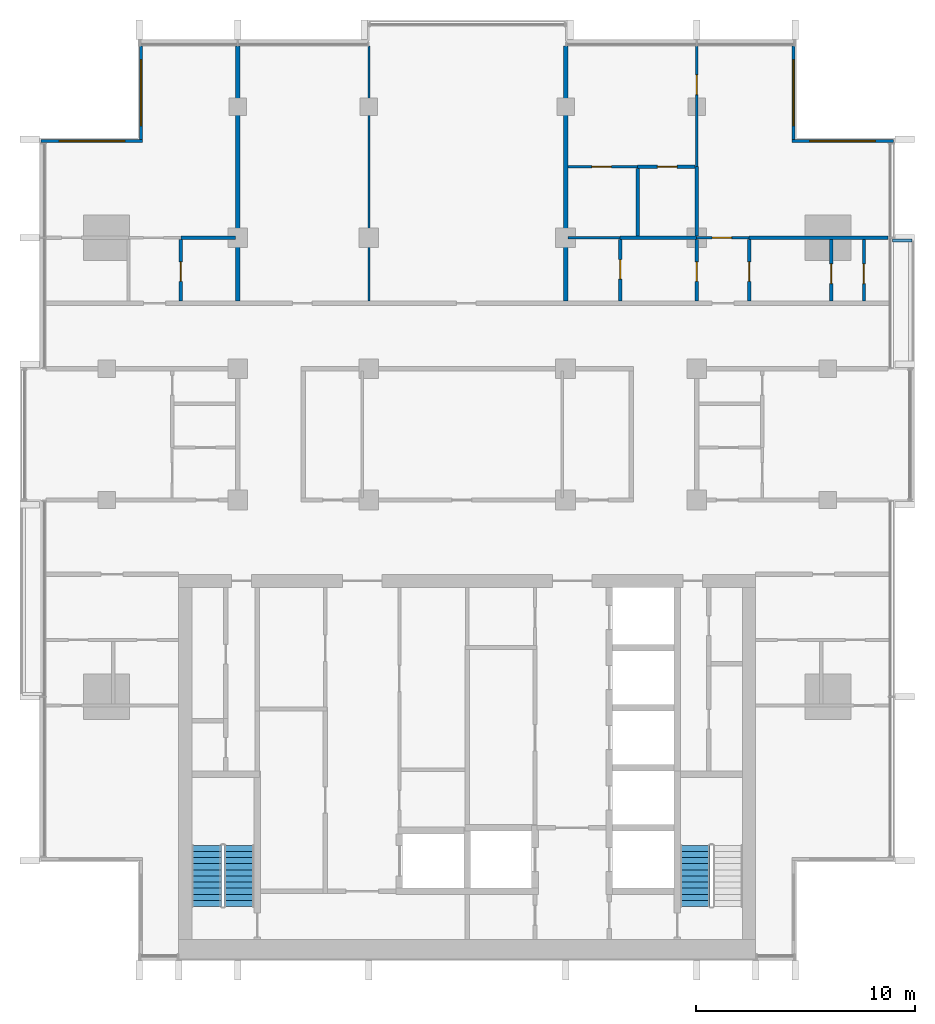
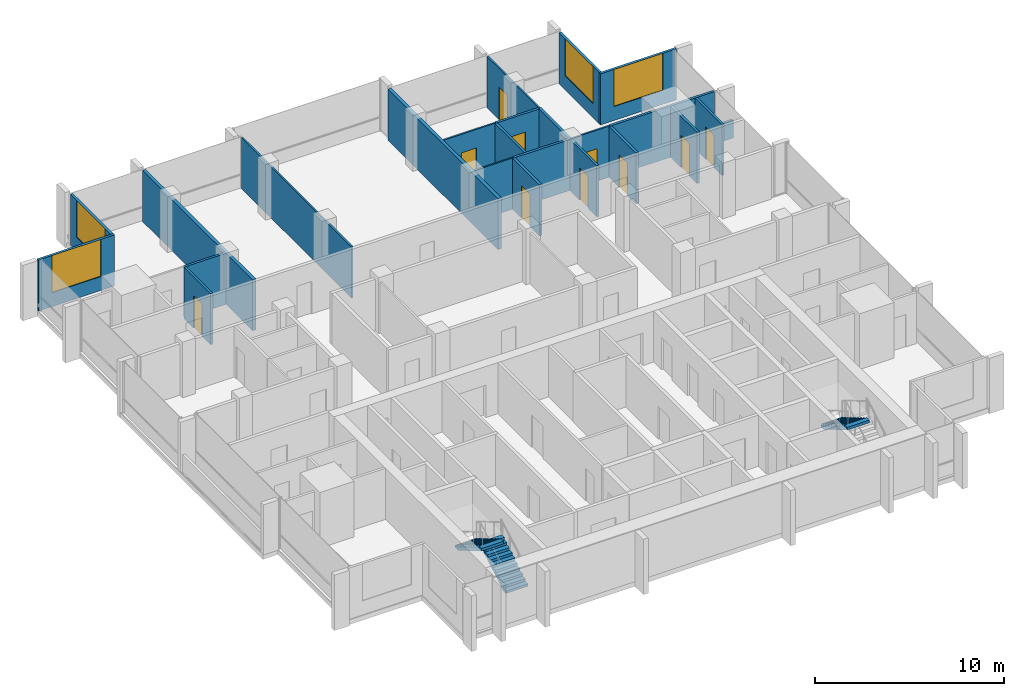
# One storey, part 10 of 16: 24 walls, 10 doors, 4 windows, 3 stair flights, 14 openings, 2 elements without a shape of their own.
"""IFC4 building model written with IfcOpenShell, lengths in metres."""

from ifc_helpers import new_model, si_unit, direction, frame, frame_2d, origin, place, context, subcontext, project, spatial, polyline, rectangle, outline, extrude, material, layer, layer_set, type_object, element, fill, aggregate, save


model = new_model("IFC4")

# Units and contexts
model_context = context("Model", 3, precision=1e-05, world=origin(), true_north=direction((0.0, 1.0)))
body_context = subcontext(model_context, "Body", "Model", "MODEL_VIEW")
ifc_project = project(units=[si_unit("LENGTHUNIT", "METRE"), si_unit("AREAUNIT", "SQUARE_METRE"), si_unit("VOLUMEUNIT", "CUBIC_METRE"), si_unit("PLANEANGLEUNIT", "RADIAN"), si_unit("MASSUNIT", "GRAM", prefix="KILO")], contexts=[model_context])

# Site, building, storey
site_placement = place(None, origin())
site = spatial("IfcSite", under=ifc_project, at=site_placement, CompositionType="ELEMENT")
building_placement = place(site_placement, origin())
building = spatial("IfcBuilding", under=site, at=building_placement, Name="Finial Court Residences", CompositionType="ELEMENT")
storey_placement = place(building_placement, frame((0.0, 0.0, 212.300048828125)))
storey = spatial("IfcBuildingStorey", under=building, at=storey_placement, Name="L53", CompositionType="ELEMENT", Elevation=212.300048828125)

# Walls
ifc_material_1 = material(Name="Gypsum board")
ifc_layer_1 = layer(ifc_material_1, 0.02490234375)
ifc_material_2 = material(Name="Acoustic mineral wool in double frame")
ifc_layer_2 = layer(ifc_material_2, 0.14990234375)
ifc_layer_3 = layer(ifc_material_1, 0.02490234375)
ifc_layer_set_1 = layer_set([ifc_layer_1, ifc_layer_2, ifc_layer_3], Name="Corridor wall 200, 1 hour")
wall_type_1 = type_object("IfcWallType", Name="Corridor wall 200, 1 hour", PredefinedType="PARTITIONING", material=ifc_layer_set_1)
for number, where, z_axis, x_axis, name in (
    (1, (-10.5, 4.60009765625, 0.0), (0.0, 0.0, 1.0), (0.0, 1.0, 0.0), "Partition L53-032"),
    (2, (4.5, 4.60009765625, 0.0), (0.0, 0.0, 1.0), (0.0, 1.0, 0.0), "Partition L53-037"),
):
    element("IfcWall", number, at=place(storey_placement, frame(where, z_axis=z_axis, x_axis=x_axis)), inside=storey, type_object=wall_type_1, Name=name, PredefinedType="PARTITIONING", context=body_context, shape_type="SweptSolid", body=[
        extrude(rectangle(XDim=11.662353515625, YDim=0.199951171875, at=frame_2d((5.8310546875, 0.0))), origin(), (0.0, 0.0, 1.0), 3.300048828125),
    ])
ifc_layer_4 = layer(ifc_material_1, 0.012451171875)
ifc_material_3 = material(Name="Mineral wool in light-gauge frame")
ifc_layer_5 = layer(ifc_material_3, 0.074951171875)
ifc_layer_6 = layer(ifc_material_1, 0.012451171875)
ifc_layer_set_2 = layer_set([ifc_layer_4, ifc_layer_5, ifc_layer_6], Name="Gypsum board partition 100")
wall_type_2 = type_object("IfcWallType", Name="Gypsum board partition 100", PredefinedType="PARTITIONING", material=ifc_layer_set_2)
wall_1_placement = place(storey_placement, frame((4.60009765625, 7.5, 0.0), z_axis=(0.0, 0.0, 1.0), x_axis=(1.0, 0.0, 0.0)))
element("IfcWall", 3, at=wall_1_placement, inside=storey, type_object=wall_type_2, Name="Partition L53-018", PredefinedType="PARTITIONING", context=body_context, shape_type="SweptSolid", body=[
    extrude(rectangle(XDim=2.39990234375, YDim=0.10009765625, at=frame_2d((1.199951171875, 0.0))), origin(), (0.0, 0.0, 1.0), 3.300048828125),
])

# Wall, opening, door
wall_2_placement = place(storey_placement, frame((10.5, 7.5, 0.0), z_axis=(0.0, 0.0, 1.0), x_axis=(1.0, 0.0, 0.0)))
wall_2 = element("IfcWall", 4, at=wall_2_placement, inside=storey, type_object=wall_type_2, Name="Partition L53-019", PredefinedType="PARTITIONING", context=body_context, shape_type="SweptSolid", body=[
    extrude(rectangle(XDim=2.39990234375, YDim=0.10009765625, at=frame_2d((1.199951171875, 0.0))), origin(), (0.0, 0.0, 1.0), 3.300048828125),
])
opening_1_placement = place(wall_2_placement, frame((0.699951171875, 0.0, 0.0)))
opening_1 = element("IfcOpeningElement", 5, at=opening_1_placement, cuts=wall_2, Name="Opening L53-D021", PredefinedType="OPENING", context=body_context, shape_type="SweptSolid", body=[
    extrude(rectangle(XDim=0.89990234375, YDim=2.10009765625, at=frame_2d((0.449951171875, 1.050048828125))), frame((0.0, 0.06005859375, 0.0), z_axis=(0.0, -1.0, 0.0), x_axis=(1.0, 0.0, 0.0)), (0.0, 0.0, 1.0), 0.1201171875),
])
ifc_material_4 = material(Name="Timber door leaf in timber frame", Category="wood")
door_type = type_object("IfcDoorType", Name="Door set 900 x 2100", OperationType="SINGLE_SWING_LEFT", PredefinedType="DOOR", material=ifc_material_4)
door_1_placement = place(opening_1_placement, origin())
door_1 = element("IfcDoor", 6, at=door_1_placement, inside=storey, type_object=door_type, Name="Door L53-D021", OperationType="SINGLE_SWING_LEFT", OverallHeight=2.10009765625, OverallWidth=0.89990234375, PredefinedType="DOOR", context=body_context, shape_type="SweptSolid", body=[
    extrude(rectangle(XDim=0.89990234375, YDim=2.10009765625, at=frame_2d((0.449951171875, 1.050048828125))), frame((0.0, 0.02490234375, 0.0), z_axis=(0.0, -1.0, 0.0), x_axis=(1.0, 0.0, 0.0)), (0.0, 0.0, 1.0), 0.050048828125),
])
fill(opening_1, door_1)

wall_3_placement = place(storey_placement, frame((4.60009765625, 10.75, 0.0), z_axis=(0.0, 0.0, 1.0), x_axis=(1.0, 0.0, 0.0)))
wall_3 = element("IfcWall", 7, at=wall_3_placement, inside=storey, type_object=wall_type_2, Name="Partition L53-024", PredefinedType="PARTITIONING", context=body_context, shape_type="SweptSolid", body=[
    extrude(rectangle(XDim=3.199951171875, YDim=0.10009765625, at=frame_2d((1.60009765625, 0.0))), origin(), (0.0, 0.0, 1.0), 3.300048828125),
])
opening_2_placement = place(wall_3_placement, frame((1.10009765625, 0.0, 0.0)))
opening_2 = element("IfcOpeningElement", 8, at=opening_2_placement, cuts=wall_3, Name="Opening L53-D023", PredefinedType="OPENING", context=body_context, shape_type="SweptSolid", body=[
    extrude(rectangle(XDim=0.89990234375, YDim=2.10009765625, at=frame_2d((0.449951171875, 1.050048828125))), frame((0.0, 0.06005859375, 0.0), z_axis=(0.0, -1.0, 0.0), x_axis=(1.0, 0.0, 0.0)), (0.0, 0.0, 1.0), 0.1201171875),
])
door_2_placement = place(opening_2_placement, origin())
door_2 = element("IfcDoor", 9, at=door_2_placement, inside=storey, type_object=door_type, Name="Door L53-D023", OperationType="SINGLE_SWING_LEFT", OverallHeight=2.10009765625, OverallWidth=0.89990234375, PredefinedType="DOOR", context=body_context, shape_type="SweptSolid", body=[
    extrude(rectangle(XDim=0.89990234375, YDim=2.10009765625, at=frame_2d((0.449951171875, 1.050048828125))), frame((0.0, 0.02490234375, 0.0), z_axis=(0.0, -1.0, 0.0), x_axis=(1.0, 0.0, 0.0)), (0.0, 0.0, 1.0), 0.050048828125),
])
fill(opening_2, door_2)

# Wall
wall_4_placement = place(storey_placement, frame((-4.5, 4.60009765625, 0.0), z_axis=(0.0, 0.0, 1.0), x_axis=(0.0, 1.0, 0.0)))
element("IfcWall", 10, at=wall_4_placement, inside=storey, type_object=wall_type_2, Name="Partition L53-035", PredefinedType="PARTITIONING", context=body_context, shape_type="SweptSolid", body=[
    extrude(rectangle(XDim=11.662353515625, YDim=0.10009765625, at=frame_2d((5.8310546875, 0.0))), origin(), (0.0, 0.0, 1.0), 3.300048828125),
])

# Wall, opening, door
wall_5_placement = place(storey_placement, frame((10.5, 10.75, 0.0), z_axis=(0.0, 0.0, 1.0), x_axis=(0.0, 1.0, 0.0)))
wall_5 = element("IfcWall", 11, at=wall_5_placement, inside=storey, type_object=wall_type_2, Name="Partition L53-042", PredefinedType="PARTITIONING", context=body_context, shape_type="SweptSolid", body=[
    extrude(rectangle(XDim=5.512451171875, YDim=0.10009765625, at=frame_2d((2.75634765625, 0.0))), origin(), (0.0, 0.0, 1.0), 3.300048828125),
])
opening_3_placement = place(wall_5_placement, frame((3.300048828125, 0.0, 0.0)))
opening_3 = element("IfcOpeningElement", 12, at=opening_3_placement, cuts=wall_5, Name="Opening L53-D029", PredefinedType="OPENING", context=body_context, shape_type="SweptSolid", body=[
    extrude(rectangle(XDim=0.89990234375, YDim=2.10009765625, at=frame_2d((0.449951171875, 1.050048828125))), frame((0.0, 0.06005859375, 0.0), z_axis=(0.0, -1.0, 0.0), x_axis=(1.0, 0.0, 0.0)), (0.0, 0.0, 1.0), 0.1201171875),
])
door_3_placement = place(opening_3_placement, origin())
door_3 = element("IfcDoor", 13, at=door_3_placement, inside=storey, type_object=door_type, Name="Door L53-D029", OperationType="SINGLE_SWING_LEFT", OverallHeight=2.10009765625, OverallWidth=0.89990234375, PredefinedType="DOOR", context=body_context, shape_type="SweptSolid", body=[
    extrude(rectangle(XDim=0.89990234375, YDim=2.10009765625, at=frame_2d((0.449951171875, 1.050048828125))), frame((0.0, 0.02490234375, 0.0), z_axis=(0.0, -1.0, 0.0), x_axis=(1.0, 0.0, 0.0)), (0.0, 0.0, 1.0), 0.050048828125),
])
fill(opening_3, door_3)

# Walls
ifc_material_5 = material(Name="Moisture-resistant gypsum board")
ifc_layer_7 = layer(ifc_material_5, 0.012451171875)
ifc_layer_8 = layer(ifc_material_3, 0.125)
ifc_layer_9 = layer(ifc_material_5, 0.012451171875)
ifc_layer_set_3 = layer_set([ifc_layer_7, ifc_layer_8, ifc_layer_9], Name="Gypsum board wet-area partition 150")
wall_type_3 = type_object("IfcWallType", Name="Gypsum board wet-area partition 150", PredefinedType="PARTITIONING", material=ifc_layer_set_3)
wall_6_placement = place(storey_placement, frame((-13.10009765625, 7.5, 0.0), z_axis=(0.0, 0.0, 1.0), x_axis=(1.0, 0.0, 0.0)))
element("IfcWall", 14, at=wall_6_placement, inside=storey, type_object=wall_type_3, Name="Partition L53-021", PredefinedType="PARTITIONING", context=body_context, shape_type="SweptSolid", body=[
    extrude(rectangle(XDim=2.5, YDim=0.14990234375, at=frame_2d((1.25, 0.0))), origin(), (0.0, 0.0, 1.0), 3.300048828125),
])
wall_7_placement = place(storey_placement, frame((7.0, 7.5, 0.0), z_axis=(0.0, 0.0, 1.0), x_axis=(1.0, 0.0, 0.0)))
element("IfcWall", 15, at=wall_7_placement, inside=storey, type_object=wall_type_3, Name="Partition L53-022", PredefinedType="PARTITIONING", context=body_context, shape_type="SweptSolid", body=[
    extrude(rectangle(XDim=3.5, YDim=0.14990234375, at=frame_2d((1.75, 0.0))), origin(), (0.0, 0.0, 1.0), 3.300048828125),
])
wall_8_placement = place(storey_placement, frame((12.89990234375, 7.5, 0.0), z_axis=(0.0, 0.0, 1.0), x_axis=(1.0, 0.0, 0.0)))
element("IfcWall", 16, at=wall_8_placement, inside=storey, type_object=wall_type_3, Name="Partition L53-023", PredefinedType="PARTITIONING", context=body_context, shape_type="SweptSolid", body=[
    extrude(rectangle(XDim=6.362548828125, YDim=0.14990234375, at=frame_2d((3.18115234375, 0.0))), origin(), (0.0, 0.0, 1.0), 3.300048828125),
])

# Wall, opening, door
wall_9_placement = place(storey_placement, frame((7.800048828125, 10.75, 0.0), z_axis=(0.0, 0.0, 1.0), x_axis=(1.0, 0.0, 0.0)))
wall_9 = element("IfcWall", 17, at=wall_9_placement, inside=storey, type_object=wall_type_3, Name="Partition L53-025", PredefinedType="PARTITIONING", context=body_context, shape_type="SweptSolid", body=[
    extrude(rectangle(XDim=2.625, YDim=0.14990234375, at=frame_2d((1.3125, 0.0))), origin(), (0.0, 0.0, 1.0), 3.300048828125),
])
opening_4_placement = place(wall_9_placement, frame((0.89990234375, 0.0, 0.0)))
opening_4 = element("IfcOpeningElement", 18, at=opening_4_placement, cuts=wall_9, Name="Opening L53-D024", PredefinedType="OPENING", context=body_context, shape_type="SweptSolid", body=[
    extrude(rectangle(XDim=0.89990234375, YDim=2.10009765625, at=frame_2d((0.449951171875, 1.050048828125))), frame((0.0, 0.0849609375, 0.0), z_axis=(0.0, -1.0, 0.0), x_axis=(1.0, 0.0, 0.0)), (0.0, 0.0, 1.0), 0.169921875),
])
door_4_placement = place(opening_4_placement, origin())
door_4 = element("IfcDoor", 19, at=door_4_placement, inside=storey, type_object=door_type, Name="Door L53-D024", OperationType="SINGLE_SWING_RIGHT", OverallHeight=2.10009765625, OverallWidth=0.89990234375, PredefinedType="DOOR", context=body_context, shape_type="SweptSolid", body=[
    extrude(rectangle(XDim=0.89990234375, YDim=2.10009765625, at=frame_2d((0.449951171875, 1.050048828125))), frame((0.0, 0.02490234375, 0.0), z_axis=(0.0, -1.0, 0.0), x_axis=(1.0, 0.0, 0.0)), (0.0, 0.0, 1.0), 0.050048828125),
])
fill(opening_4, door_4)

wall_10_placement = place(storey_placement, frame((-13.10009765625, 4.60009765625, 0.0), z_axis=(0.0, 0.0, 1.0), x_axis=(0.0, 1.0, 0.0)))
wall_10 = element("IfcWall", 20, at=wall_10_placement, inside=storey, type_object=wall_type_3, Name="Partition L53-030", PredefinedType="PARTITIONING", context=body_context, shape_type="SweptSolid", body=[
    extrude(rectangle(XDim=2.824951171875, YDim=0.14990234375, at=frame_2d((1.41259765625, 0.0))), origin(), (0.0, 0.0, 1.0), 3.300048828125),
])
opening_5_placement = place(wall_10_placement, frame((0.89990234375, 0.0, 0.0)))
opening_5 = element("IfcOpeningElement", 21, at=opening_5_placement, cuts=wall_10, Name="Opening L53-D027", PredefinedType="OPENING", context=body_context, shape_type="SweptSolid", body=[
    extrude(rectangle(XDim=0.89990234375, YDim=2.10009765625, at=frame_2d((0.449951171875, 1.050048828125))), frame((0.0, 0.0849609375, 0.0), z_axis=(0.0, -1.0, 0.0), x_axis=(1.0, 0.0, 0.0)), (0.0, 0.0, 1.0), 0.169921875),
])
door_5_placement = place(opening_5_placement, origin())
door_5 = element("IfcDoor", 22, at=door_5_placement, inside=storey, type_object=door_type, Name="Door L53-D027", OperationType="SINGLE_SWING_RIGHT", OverallHeight=2.10009765625, OverallWidth=0.89990234375, PredefinedType="DOOR", context=body_context, shape_type="SweptSolid", body=[
    extrude(rectangle(XDim=0.89990234375, YDim=2.10009765625, at=frame_2d((0.449951171875, 1.050048828125))), frame((0.0, 0.02490234375, 0.0), z_axis=(0.0, -1.0, 0.0), x_axis=(1.0, 0.0, 0.0)), (0.0, 0.0, 1.0), 0.050048828125),
])
fill(opening_5, door_5)

wall_11_placement = place(storey_placement, frame((7.0, 4.60009765625, 0.0), z_axis=(0.0, 0.0, 1.0), x_axis=(0.0, 1.0, 0.0)))
wall_11 = element("IfcWall", 23, at=wall_11_placement, inside=storey, type_object=wall_type_3, Name="Partition L53-038", PredefinedType="PARTITIONING", context=body_context, shape_type="SweptSolid", body=[
    extrude(rectangle(XDim=2.824951171875, YDim=0.14990234375, at=frame_2d((1.41259765625, 0.0))), origin(), (0.0, 0.0, 1.0), 3.300048828125),
])
opening_6_placement = place(wall_11_placement, frame((1.0, 0.0, 0.0)))
opening_6 = element("IfcOpeningElement", 24, at=opening_6_placement, cuts=wall_11, Name="Opening L53-D028", PredefinedType="OPENING", context=body_context, shape_type="SweptSolid", body=[
    extrude(rectangle(XDim=0.89990234375, YDim=2.10009765625, at=frame_2d((0.449951171875, 1.050048828125))), frame((0.0, 0.0849609375, 0.0), z_axis=(0.0, -1.0, 0.0), x_axis=(1.0, 0.0, 0.0)), (0.0, 0.0, 1.0), 0.169921875),
])
door_6_placement = place(opening_6_placement, origin())
door_6 = element("IfcDoor", 25, at=door_6_placement, inside=storey, type_object=door_type, Name="Door L53-D028", OperationType="SINGLE_SWING_LEFT", OverallHeight=2.10009765625, OverallWidth=0.89990234375, PredefinedType="DOOR", context=body_context, shape_type="SweptSolid", body=[
    extrude(rectangle(XDim=0.89990234375, YDim=2.10009765625, at=frame_2d((0.449951171875, 1.050048828125))), frame((0.0, 0.02490234375, 0.0), z_axis=(0.0, -1.0, 0.0), x_axis=(1.0, 0.0, 0.0)), (0.0, 0.0, 1.0), 0.050048828125),
])
fill(opening_6, door_6)

# Wall
wall_12_placement = place(storey_placement, frame((7.800048828125, 7.574951171875, 0.0), z_axis=(0.0, 0.0, 1.0), x_axis=(0.0, 1.0, 0.0)))
element("IfcWall", 26, at=wall_12_placement, inside=storey, type_object=wall_type_3, Name="Partition L53-040", PredefinedType="PARTITIONING", context=body_context, shape_type="SweptSolid", body=[
    extrude(rectangle(XDim=3.10009765625, YDim=0.14990234375, at=frame_2d((1.550048828125, 0.0))), origin(), (0.0, 0.0, 1.0), 3.300048828125),
])

# Wall, opening, door
wall_13_placement = place(storey_placement, frame((10.5, 4.60009765625, 0.0), z_axis=(0.0, 0.0, 1.0), x_axis=(0.0, 1.0, 0.0)))
wall_13 = element("IfcWall", 27, at=wall_13_placement, inside=storey, type_object=wall_type_3, Name="Partition L53-043", PredefinedType="PARTITIONING", context=body_context, shape_type="SweptSolid", body=[
    extrude(rectangle(XDim=2.824951171875, YDim=0.14990234375, at=frame_2d((1.41259765625, 0.0))), origin(), (0.0, 0.0, 1.0), 3.300048828125),
])
opening_7_placement = place(wall_13_placement, frame((0.89990234375, 0.0, 0.0)))
opening_7 = element("IfcOpeningElement", 28, at=opening_7_placement, cuts=wall_13, Name="Opening L53-D030", PredefinedType="OPENING", context=body_context, shape_type="SweptSolid", body=[
    extrude(rectangle(XDim=0.89990234375, YDim=2.10009765625, at=frame_2d((0.449951171875, 1.050048828125))), frame((0.0, 0.0849609375, 0.0), z_axis=(0.0, -1.0, 0.0), x_axis=(1.0, 0.0, 0.0)), (0.0, 0.0, 1.0), 0.169921875),
])
door_7_placement = place(opening_7_placement, origin())
door_7 = element("IfcDoor", 29, at=door_7_placement, inside=storey, type_object=door_type, Name="Door L53-D030", OperationType="SINGLE_SWING_LEFT", OverallHeight=2.10009765625, OverallWidth=0.89990234375, PredefinedType="DOOR", context=body_context, shape_type="SweptSolid", body=[
    extrude(rectangle(XDim=0.89990234375, YDim=2.10009765625, at=frame_2d((0.449951171875, 1.050048828125))), frame((0.0, 0.02490234375, 0.0), z_axis=(0.0, -1.0, 0.0), x_axis=(1.0, 0.0, 0.0)), (0.0, 0.0, 1.0), 0.050048828125),
])
fill(opening_7, door_7)

# Wall
wall_14_placement = place(storey_placement, frame((10.5, 7.574951171875, 0.0), z_axis=(0.0, 0.0, 1.0), x_axis=(0.0, 1.0, 0.0)))
element("IfcWall", 30, at=wall_14_placement, inside=storey, type_object=wall_type_3, Name="Partition L53-044", PredefinedType="PARTITIONING", context=body_context, shape_type="SweptSolid", body=[
    extrude(rectangle(XDim=3.175048828125, YDim=0.14990234375, at=frame_2d((1.58740234375, 0.0))), origin(), (0.0, 0.0, 1.0), 3.300048828125),
])

# Wall, opening, door
wall_15_placement = place(storey_placement, frame((12.89990234375, 4.60009765625, 0.0), z_axis=(0.0, 0.0, 1.0), x_axis=(0.0, 1.0, 0.0)))
wall_15 = element("IfcWall", 31, at=wall_15_placement, inside=storey, type_object=wall_type_3, Name="Partition L53-045", PredefinedType="PARTITIONING", context=body_context, shape_type="SweptSolid", body=[
    extrude(rectangle(XDim=2.824951171875, YDim=0.14990234375, at=frame_2d((1.41259765625, 0.0))), origin(), (0.0, 0.0, 1.0), 3.300048828125),
])
opening_8_placement = place(wall_15_placement, frame((0.89990234375, 0.0, 0.0)))
opening_8 = element("IfcOpeningElement", 32, at=opening_8_placement, cuts=wall_15, Name="Opening L53-D031", PredefinedType="OPENING", context=body_context, shape_type="SweptSolid", body=[
    extrude(rectangle(XDim=0.89990234375, YDim=2.10009765625, at=frame_2d((0.449951171875, 1.050048828125))), frame((0.0, 0.0849609375, 0.0), z_axis=(0.0, -1.0, 0.0), x_axis=(1.0, 0.0, 0.0)), (0.0, 0.0, 1.0), 0.169921875),
])
door_8_placement = place(opening_8_placement, origin())
door_8 = element("IfcDoor", 33, at=door_8_placement, inside=storey, type_object=door_type, Name="Door L53-D031", OperationType="SINGLE_SWING_LEFT", OverallHeight=2.10009765625, OverallWidth=0.89990234375, PredefinedType="DOOR", context=body_context, shape_type="SweptSolid", body=[
    extrude(rectangle(XDim=0.89990234375, YDim=2.10009765625, at=frame_2d((0.449951171875, 1.050048828125))), frame((0.0, 0.02490234375, 0.0), z_axis=(0.0, -1.0, 0.0), x_axis=(1.0, 0.0, 0.0)), (0.0, 0.0, 1.0), 0.050048828125),
])
fill(opening_8, door_8)

wall_16_placement = place(storey_placement, frame((16.64990234375, 4.60009765625, 0.0), z_axis=(0.0, 0.0, 1.0), x_axis=(0.0, 1.0, 0.0)))
wall_16 = element("IfcWall", 34, at=wall_16_placement, inside=storey, type_object=wall_type_3, Name="Partition L53-049", PredefinedType="PARTITIONING", context=body_context, shape_type="SweptSolid", body=[
    extrude(rectangle(XDim=2.824951171875, YDim=0.14990234375, at=frame_2d((1.41259765625, 0.0))), origin(), (0.0, 0.0, 1.0), 3.300048828125),
])
opening_9_placement = place(wall_16_placement, frame((0.800048828125, 0.0, 0.0)))
opening_9 = element("IfcOpeningElement", 35, at=opening_9_placement, cuts=wall_16, Name="Opening L53-D034", PredefinedType="OPENING", context=body_context, shape_type="SweptSolid", body=[
    extrude(rectangle(XDim=0.89990234375, YDim=2.10009765625, at=frame_2d((0.449951171875, 1.050048828125))), frame((0.0, 0.0849609375, 0.0), z_axis=(0.0, -1.0, 0.0), x_axis=(1.0, 0.0, 0.0)), (0.0, 0.0, 1.0), 0.169921875),
])
door_9_placement = place(opening_9_placement, origin())
door_9 = element("IfcDoor", 36, at=door_9_placement, inside=storey, type_object=door_type, Name="Door L53-D034", OperationType="SINGLE_SWING_LEFT", OverallHeight=2.10009765625, OverallWidth=0.89990234375, PredefinedType="DOOR", context=body_context, shape_type="SweptSolid", body=[
    extrude(rectangle(XDim=0.89990234375, YDim=2.10009765625, at=frame_2d((0.449951171875, 1.050048828125))), frame((0.0, 0.02490234375, 0.0), z_axis=(0.0, -1.0, 0.0), x_axis=(1.0, 0.0, 0.0)), (0.0, 0.0, 1.0), 0.050048828125),
])
fill(opening_9, door_9)

wall_17_placement = place(storey_placement, frame((18.14990234375, 4.60009765625, 0.0), z_axis=(0.0, 0.0, 1.0), x_axis=(0.0, 1.0, 0.0)))
wall_17 = element("IfcWall", 37, at=wall_17_placement, inside=storey, type_object=wall_type_3, Name="Partition L53-050", PredefinedType="PARTITIONING", context=body_context, shape_type="SweptSolid", body=[
    extrude(rectangle(XDim=2.824951171875, YDim=0.14990234375, at=frame_2d((1.41259765625, 0.0))), origin(), (0.0, 0.0, 1.0), 3.300048828125),
])
opening_10_placement = place(wall_17_placement, frame((0.800048828125, 0.0, 0.0)))
opening_10 = element("IfcOpeningElement", 38, at=opening_10_placement, cuts=wall_17, Name="Opening L53-D035", PredefinedType="OPENING", context=body_context, shape_type="SweptSolid", body=[
    extrude(rectangle(XDim=0.89990234375, YDim=2.10009765625, at=frame_2d((0.449951171875, 1.050048828125))), frame((0.0, 0.0849609375, 0.0), z_axis=(0.0, -1.0, 0.0), x_axis=(1.0, 0.0, 0.0)), (0.0, 0.0, 1.0), 0.169921875),
])
door_10_placement = place(opening_10_placement, origin())
door_10 = element("IfcDoor", 39, at=door_10_placement, inside=storey, type_object=door_type, Name="Door L53-D035", OperationType="SINGLE_SWING_LEFT", OverallHeight=2.10009765625, OverallWidth=0.89990234375, PredefinedType="DOOR", context=body_context, shape_type="SweptSolid", body=[
    extrude(rectangle(XDim=0.89990234375, YDim=2.10009765625, at=frame_2d((0.449951171875, 1.050048828125))), frame((0.0, 0.02490234375, 0.0), z_axis=(0.0, -1.0, 0.0), x_axis=(1.0, 0.0, 0.0)), (0.0, 0.0, 1.0), 0.050048828125),
])
fill(opening_10, door_10)

# Wall
ifc_material_6 = material(Name="Concrete C35/45", Category="concrete")
ifc_layer_10 = layer(ifc_material_6, 0.14990234375)
ifc_layer_set_4 = layer_set([ifc_layer_10], Name="Ledge parapet, Concrete C35/45 150")
wall_type_4 = type_object("IfcWallType", Name="Ledge parapet, Concrete C35/45 150", PredefinedType="PARAPET", material=ifc_layer_set_4)
wall_18_placement = place(storey_placement, frame((19.447509765625, 7.375, 0.0), z_axis=(0.0, 0.0, 1.0), x_axis=(1.0, 0.0, 0.0)))
element("IfcWall", 40, at=wall_18_placement, inside=storey, type_object=wall_type_4, Name="E-L53-LED1-P1", PredefinedType="PARAPET", context=body_context, shape_type="SweptSolid", body=[
    extrude(rectangle(XDim=0.902587890625, YDim=0.14990234375, at=frame_2d((0.451171875, 0.0))), origin(), (0.0, 0.0, 1.0), 1.14990234375),
])

# Wall, opening, window
ifc_material_7 = material(Name="Natural limestone", Category="masonry")
ifc_layer_11 = layer(ifc_material_7, 0.14990234375)
ifc_layer_set_5 = layer_set([ifc_layer_11], Name="Limestone clad wall 150")
wall_type_5 = type_object("IfcWallType", Name="Limestone clad wall 150", PredefinedType="SOLIDWALL", material=ifc_layer_set_5)
wall_19_placement = place(storey_placement, frame((-14.925048828125, 12.0, 0.0), z_axis=(0.0, 0.0, 1.0), x_axis=(0.0, 1.0, 0.0)))
wall_19 = element("IfcWall", 41, at=wall_19_placement, inside=storey, type_object=wall_type_5, Name="E-L53-NWW16", PredefinedType="SOLIDWALL", context=body_context, shape_type="SweptSolid", body=[
    extrude(rectangle(XDim=4.262451171875, YDim=0.14990234375, at=frame_2d((2.13134765625, 0.0))), origin(), (0.0, 0.0, 1.0), 3.300048828125),
])
opening_11_placement = place(wall_19_placement, frame((0.631103515625, 0.0, 0.89990234375)))
opening_11 = element("IfcOpeningElement", 42, at=opening_11_placement, cuts=wall_19, Name="Opening WE53-05", PredefinedType="OPENING", context=body_context, shape_type="SweptSolid", body=[
    extrude(rectangle(XDim=3.0, YDim=2.39990234375, at=frame_2d((1.5, 1.199951171875))), frame((0.0, 0.0849609375, 0.0), z_axis=(0.0, -1.0, 0.0), x_axis=(1.0, 0.0, 0.0)), (0.0, 0.0, 1.0), 0.169921875),
])
ifc_material_8 = material(Name="Clear low-e glass", Category="glass")
window_type = type_object("IfcWindowType", Name="Corner window 3000 x 2400", PartitioningType="SINGLE_PANEL", PredefinedType="WINDOW", material=ifc_material_8)
window_1_placement = place(opening_11_placement, origin())
window_1 = element("IfcWindow", 43, at=window_1_placement, inside=storey, type_object=window_type, Name="E-L53-NWW16-W1", OverallHeight=2.39990234375, OverallWidth=3.0, PartitioningType="SINGLE_PANEL", PredefinedType="WINDOW", context=body_context, shape_type="SweptSolid", body=[
    extrude(rectangle(XDim=3.0, YDim=2.39990234375, at=frame_2d((1.5, 1.199951171875))), frame((0.0, 0.030029296875, 0.0), z_axis=(0.0, -1.0, 0.0), x_axis=(1.0, 0.0, 0.0)), (0.0, 0.0, 1.0), 0.06005859375),
])
fill(opening_11, window_1)

wall_20_placement = place(storey_placement, frame((-19.5, 11.925048828125, 0.0), z_axis=(0.0, 0.0, 1.0), x_axis=(1.0, 0.0, 0.0)))
wall_20 = element("IfcWall", 44, at=wall_20_placement, inside=storey, type_object=wall_type_5, Name="E-L53-NWN17", PredefinedType="SOLIDWALL", context=body_context, shape_type="SweptSolid", body=[
    extrude(rectangle(XDim=4.64990234375, YDim=0.14990234375, at=frame_2d((2.324951171875, 0.0))), origin(), (0.0, 0.0, 1.0), 3.300048828125),
])
opening_12_placement = place(wall_20_placement, frame((0.824951171875, 0.0, 0.89990234375)))
opening_12 = element("IfcOpeningElement", 45, at=opening_12_placement, cuts=wall_20, Name="Opening WE53-06", PredefinedType="OPENING", context=body_context, shape_type="SweptSolid", body=[
    extrude(rectangle(XDim=3.0, YDim=2.39990234375, at=frame_2d((1.5, 1.199951171875))), frame((0.0, 0.0849609375, 0.0), z_axis=(0.0, -1.0, 0.0), x_axis=(1.0, 0.0, 0.0)), (0.0, 0.0, 1.0), 0.169921875),
])
window_2_placement = place(opening_12_placement, origin())
window_2 = element("IfcWindow", 46, at=window_2_placement, inside=storey, type_object=window_type, Name="E-L53-NWN17-W1", OverallHeight=2.39990234375, OverallWidth=3.0, PartitioningType="SINGLE_PANEL", PredefinedType="WINDOW", context=body_context, shape_type="SweptSolid", body=[
    extrude(rectangle(XDim=3.0, YDim=2.39990234375, at=frame_2d((1.5, 1.199951171875))), frame((0.0, 0.030029296875, 0.0), z_axis=(0.0, -1.0, 0.0), x_axis=(1.0, 0.0, 0.0)), (0.0, 0.0, 1.0), 0.06005859375),
])
fill(opening_12, window_2)

wall_21_placement = place(storey_placement, frame((14.925048828125, 16.262451171875, 0.0), z_axis=(0.0, 0.0, 1.0), x_axis=(0.0, -1.0, 0.0)))
wall_21 = element("IfcWall", 47, at=wall_21_placement, inside=storey, type_object=wall_type_5, Name="E-L53-NWE18", PredefinedType="SOLIDWALL", context=body_context, shape_type="SweptSolid", body=[
    extrude(rectangle(XDim=4.262451171875, YDim=0.14990234375, at=frame_2d((2.13134765625, 0.0))), origin(), (0.0, 0.0, 1.0), 3.300048828125),
])
opening_13_placement = place(wall_21_placement, frame((0.631103515625, 0.0, 0.89990234375)))
opening_13 = element("IfcOpeningElement", 48, at=opening_13_placement, cuts=wall_21, Name="Opening WE53-07", PredefinedType="OPENING", context=body_context, shape_type="SweptSolid", body=[
    extrude(rectangle(XDim=3.0, YDim=2.39990234375, at=frame_2d((1.5, 1.199951171875))), frame((0.0, 0.0849609375, 0.0), z_axis=(0.0, -1.0, 0.0), x_axis=(1.0, 0.0, 0.0)), (0.0, 0.0, 1.0), 0.169921875),
])
window_3_placement = place(opening_13_placement, origin())
window_3 = element("IfcWindow", 49, at=window_3_placement, inside=storey, type_object=window_type, Name="E-L53-NWE18-W1", OverallHeight=2.39990234375, OverallWidth=3.0, PartitioningType="SINGLE_PANEL", PredefinedType="WINDOW", context=body_context, shape_type="SweptSolid", body=[
    extrude(rectangle(XDim=3.0, YDim=2.39990234375, at=frame_2d((1.5, 1.199951171875))), frame((0.0, 0.030029296875, 0.0), z_axis=(0.0, -1.0, 0.0), x_axis=(1.0, 0.0, 0.0)), (0.0, 0.0, 1.0), 0.06005859375),
])
fill(opening_13, window_3)

wall_22_placement = place(storey_placement, frame((14.85009765625, 11.925048828125, 0.0), z_axis=(0.0, 0.0, 1.0), x_axis=(1.0, 0.0, 0.0)))
wall_22 = element("IfcWall", 50, at=wall_22_placement, inside=storey, type_object=wall_type_5, Name="E-L53-NWN19", PredefinedType="SOLIDWALL", context=body_context, shape_type="SweptSolid", body=[
    extrude(rectangle(XDim=4.64990234375, YDim=0.14990234375, at=frame_2d((2.324951171875, 0.0))), origin(), (0.0, 0.0, 1.0), 3.300048828125),
])
opening_14_placement = place(wall_22_placement, frame((0.824951171875, 0.0, 0.89990234375)))
opening_14 = element("IfcOpeningElement", 51, at=opening_14_placement, cuts=wall_22, Name="Opening WE53-08", PredefinedType="OPENING", context=body_context, shape_type="SweptSolid", body=[
    extrude(rectangle(XDim=3.0, YDim=2.39990234375, at=frame_2d((1.5, 1.199951171875))), frame((0.0, 0.0849609375, 0.0), z_axis=(0.0, -1.0, 0.0), x_axis=(1.0, 0.0, 0.0)), (0.0, 0.0, 1.0), 0.169921875),
])
window_4_placement = place(opening_14_placement, origin())
window_4 = element("IfcWindow", 52, at=window_4_placement, inside=storey, type_object=window_type, Name="E-L53-NWN19-W1", OverallHeight=2.39990234375, OverallWidth=3.0, PartitioningType="SINGLE_PANEL", PredefinedType="WINDOW", context=body_context, shape_type="SweptSolid", body=[
    extrude(rectangle(XDim=3.0, YDim=2.39990234375, at=frame_2d((1.5, 1.199951171875))), frame((0.0, 0.030029296875, 0.0), z_axis=(0.0, -1.0, 0.0), x_axis=(1.0, 0.0, 0.0)), (0.0, 0.0, 1.0), 0.06005859375),
])
fill(opening_14, window_4)

# Stair, stair flights
ifc_material_9 = material(Name="Concrete C50/60", Category="concrete")
stair_type = type_object("IfcStairType", Name="Exit stair 22 risers of 163.6 mm", PredefinedType="HALF_TURN_STAIR", material=ifc_material_9)
stair_1_placement = place(storey_placement, origin())
stair_1 = element("IfcStair", 53, at=stair_1_placement, inside=storey, type_object=stair_type, Name="L53 Exit stair ST-1", PredefinedType="HALF_TURN_STAIR")
stair_flight_type = type_object("IfcStairFlightType", Name="Exit stair flight", PredefinedType="STRAIGHT", material=ifc_material_9)
stair_flight_1_placement = place(storey_placement, frame((-10.425048828125, -23.10009765625, 0.0), z_axis=(0.0, 0.0, 1.0), x_axis=(0.0, 1.0, 0.0)))
stair_flight_1 = element("IfcStairFlight", 54, at=stair_flight_1_placement, type_object=stair_flight_type, Name="ST-1 flight 1", NumberOfRisers=11, NumberOfTreads=10, PredefinedType="STRAIGHT", RiserHeight=0.163636364, TreadLength=0.28, context=body_context, shape_type="SweptSolid", body=[
    extrude(outline(polyline([(0.0, 0.0), (0.0, 0.16357421875), (0.280029296875, 0.16357421875), (0.280029296875, 0.327392578125), (0.56005859375, 0.327392578125), (0.56005859375, 0.490966796875), (0.840087890625, 0.490966796875), (0.840087890625, 0.654541015625), (1.1201171875, 0.654541015625), (1.1201171875, 0.818115234375), (1.39990234375, 0.818115234375), (1.39990234375, 0.98193359375), (1.679931640625, 0.98193359375), (1.679931640625, 1.1455078125), (1.9599609375, 1.1455078125), (1.9599609375, 1.30908203125), (2.239990234375, 1.30908203125), (2.239990234375, 1.47265625), (2.52001953125, 1.47265625), (2.52001953125, 1.636474609375), (2.800048828125, 1.636474609375), (2.800048828125, 1.800048828125), (2.800048828125, 1.462646484375), (0.297119140625, 0.0), (0.0, 0.0)])), frame((0.0, 0.675048828125, 0.0), z_axis=(0.0, -1.0, 0.0), x_axis=(1.0, 0.0, 0.0)), (0.0, 0.0, 1.0), 1.35009765625),
])
stair_flight_2_placement = place(storey_placement, frame((-11.925048828125, -20.300048828125, 1.800048828125), z_axis=(0.0, 0.0, 1.0), x_axis=(0.0, -1.0, 0.0)))
stair_flight_2 = element("IfcStairFlight", 55, at=stair_flight_2_placement, type_object=stair_flight_type, Name="ST-1 flight 2", NumberOfRisers=11, NumberOfTreads=10, PredefinedType="STRAIGHT", RiserHeight=0.163636364, TreadLength=0.28, context=body_context, shape_type="SweptSolid", body=[
    extrude(outline(polyline([(0.0, 0.0), (0.0, 0.16357421875), (0.280029296875, 0.16357421875), (0.280029296875, 0.327392578125), (0.56005859375, 0.327392578125), (0.56005859375, 0.490966796875), (0.840087890625, 0.490966796875), (0.840087890625, 0.654541015625), (1.1201171875, 0.654541015625), (1.1201171875, 0.818115234375), (1.39990234375, 0.818115234375), (1.39990234375, 0.98193359375), (1.679931640625, 0.98193359375), (1.679931640625, 1.1455078125), (1.9599609375, 1.1455078125), (1.9599609375, 1.30908203125), (2.239990234375, 1.30908203125), (2.239990234375, 1.47265625), (2.52001953125, 1.47265625), (2.52001953125, 1.636474609375), (2.800048828125, 1.636474609375), (2.800048828125, 1.800048828125), (2.800048828125, 1.462646484375), (0.297119140625, 0.0), (0.0, 0.0)])), frame((0.0, 0.675048828125, 0.0), z_axis=(0.0, -1.0, 0.0), x_axis=(1.0, 0.0, 0.0)), (0.0, 0.0, 1.0), 1.35009765625),
])
aggregate(stair_1, [stair_flight_1, stair_flight_2])

# Stair, stair flight
stair_2_placement = place(storey_placement, origin())
stair_2 = element("IfcStair", 56, at=stair_2_placement, inside=storey, type_object=stair_type, Name="L53 Exit stair ST-2", PredefinedType="HALF_TURN_STAIR")
stair_flight_3_placement = place(storey_placement, frame((10.425048828125, -20.300048828125, 1.800048828125), z_axis=(0.0, 0.0, 1.0), x_axis=(0.0, -1.0, 0.0)))
stair_flight_3 = element("IfcStairFlight", 57, at=stair_flight_3_placement, type_object=stair_flight_type, Name="ST-2 flight 2", NumberOfRisers=11, NumberOfTreads=10, PredefinedType="STRAIGHT", RiserHeight=0.163636364, TreadLength=0.28, context=body_context, shape_type="SweptSolid", body=[
    extrude(outline(polyline([(0.0, 0.0), (0.0, 0.16357421875), (0.280029296875, 0.16357421875), (0.280029296875, 0.327392578125), (0.56005859375, 0.327392578125), (0.56005859375, 0.490966796875), (0.840087890625, 0.490966796875), (0.840087890625, 0.654541015625), (1.1201171875, 0.654541015625), (1.1201171875, 0.818115234375), (1.39990234375, 0.818115234375), (1.39990234375, 0.98193359375), (1.679931640625, 0.98193359375), (1.679931640625, 1.1455078125), (1.9599609375, 1.1455078125), (1.9599609375, 1.30908203125), (2.239990234375, 1.30908203125), (2.239990234375, 1.47265625), (2.52001953125, 1.47265625), (2.52001953125, 1.636474609375), (2.800048828125, 1.636474609375), (2.800048828125, 1.800048828125), (2.800048828125, 1.462646484375), (0.297119140625, 0.0), (0.0, 0.0)])), frame((0.0, 0.675048828125, 0.0), z_axis=(0.0, -1.0, 0.0), x_axis=(1.0, 0.0, 0.0)), (0.0, 0.0, 1.0), 1.35009765625),
])
aggregate(stair_2, [stair_flight_3])

save(model, "model.ifc")
